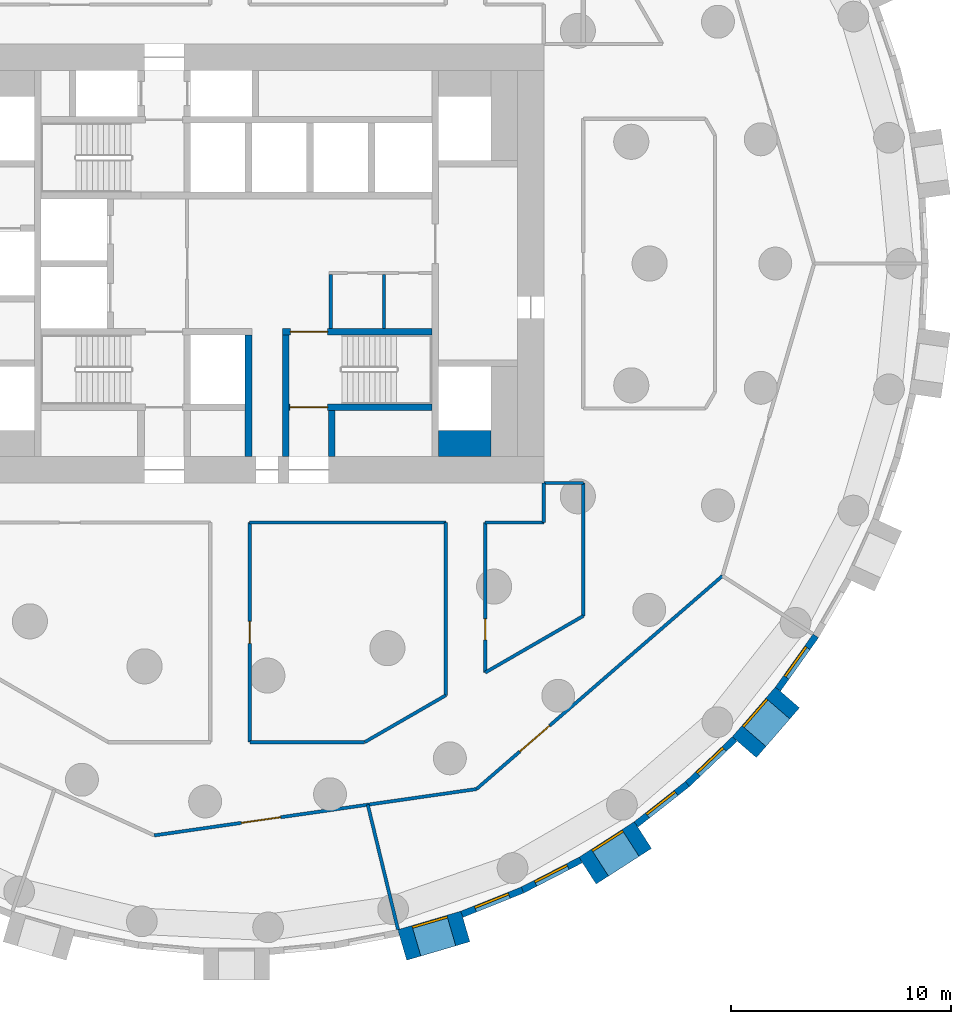
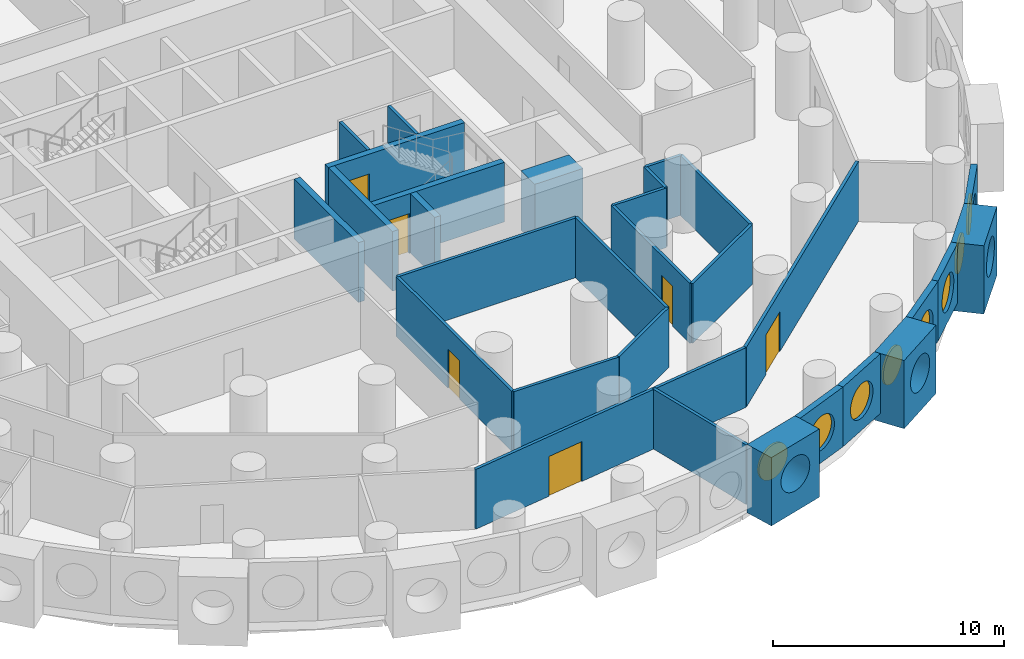
# One storey, part 5 of 12: 30 walls, 8 windows, 6 doors, 14 openings.
"""IFC4 building model written with IfcOpenShell, lengths in metres."""

import ifcopenshell
import ifcopenshell.guid

model = None  # the IFC model being written
_history = None  # IfcOwnerHistory: only IFC2X3 demands one
_inside = {}  # id of a spatial element -> (the spatial element, [elements in it])
_under = {}  # id of a project, library or spatial element -> (it, [spatial elements below it])
_declared = {}  # id of a project -> (the project, [libraries it declares])
_typed = {}  # id of a type object -> (the type object, [elements of that type])
_made_of = {}  # id of a material, layer set ... -> (it, [elements and type objects made of it])


def new_model(schema):
    """Start an empty IFC model of exactly this schema.

    Asked for "IFC4X3", IfcOpenShell would pick the latest addendum, in which some entities
    have other attributes; the version numbers below select the first issue.
    IFC2X3 requires an IfcOwnerHistory on every rooted entity: one is made here for all.
    """
    global model, _history
    if schema == "IFC4X3":
        model = ifcopenshell.file(schema_version=(4, 3, 0, 0))
    else:
        model = ifcopenshell.file(schema=schema)
    _inside.clear()
    _under.clear()
    _declared.clear()
    _typed.clear()
    _made_of.clear()
    _history = None
    if model.schema == "IFC2X3":
        org = make("IfcOrganization", Name="unknown")
        user = make(
            "IfcPersonAndOrganization",
            ThePerson=make("IfcPerson", FamilyName="unknown"),
            TheOrganization=org,
        )
        app = make(
            "IfcApplication",
            ApplicationDeveloper=org,
            Version="unknown",
            ApplicationFullName="unknown",
            ApplicationIdentifier="unknown",
        )
        _history = make(
            "IfcOwnerHistory",
            OwningUser=user,
            OwningApplication=app,
            ChangeAction="ADDED",
            CreationDate=0,
        )
    return model


def make(cls, **values):
    """One entity of the class cls with the attributes given. An attribute that is None is left unset."""
    return model.create_entity(
        cls, **{name: value for name, value in values.items() if value is not None}
    )


def rooted(cls, **values):
    """An entity with a GlobalId (a new one), such as an element, a storey or a relation."""
    return make(cls, GlobalId=ifcopenshell.guid.new(), OwnerHistory=_history, **values)


def si_unit(unit_type, name, prefix=None):
    """IfcSIUnit, for example si_unit("LENGTHUNIT", "METRE", prefix="MILLI")."""
    return make("IfcSIUnit", UnitType=unit_type, Prefix=prefix, Name=name)


def assignment(units):
    """IfcUnitAssignment: the units of a project."""
    return None if units is None else make("IfcUnitAssignment", Units=units)


def point(xyz):
    """IfcCartesianPoint."""
    return None if xyz is None else make("IfcCartesianPoint", Coordinates=xyz)


def direction(xyz):
    """IfcDirection."""
    return None if xyz is None else make("IfcDirection", DirectionRatios=xyz)


def frame(location, z_axis=None, x_axis=None):
    """IfcAxis2Placement3D, a coordinate frame: its origin and axes. An axis left out is left unset."""
    return make(
        "IfcAxis2Placement3D",
        Location=point(location),
        Axis=direction(z_axis),
        RefDirection=direction(x_axis),
    )


def frame_2d(location, x_axis=None):
    """IfcAxis2Placement2D, a coordinate frame in the plane: its origin and x axis."""
    return make(
        "IfcAxis2Placement2D", Location=point(location), RefDirection=direction(x_axis)
    )


def origin():
    """The frame at (0, 0, 0) with its axes left unset."""
    return frame((0.0, 0.0, 0.0))


def origin_2d():
    """The frame at (0, 0) in the plane with its x axis left unset."""
    return frame_2d((0.0, 0.0))


def place(relative_to, where):
    """IfcLocalPlacement: puts the frame where relative to a parent placement (None: the world)."""
    return make(
        "IfcLocalPlacement", PlacementRelTo=relative_to, RelativePlacement=where
    )


def context(
    kind, dimensions, precision=None, world=None, true_north=None, identifier=None
):
    """IfcGeometricRepresentationContext, for example the 3D "Model" context."""
    return make(
        "IfcGeometricRepresentationContext",
        ContextIdentifier=identifier,
        ContextType=kind,
        CoordinateSpaceDimension=dimensions,
        Precision=precision,
        WorldCoordinateSystem=world,
        TrueNorth=true_north,
    )


def subcontext(parent, identifier, kind, view, scale=None):
    """IfcGeometricRepresentationSubContext, for example "Body" below "Model"."""
    return make(
        "IfcGeometricRepresentationSubContext",
        ContextIdentifier=identifier,
        ContextType=kind,
        ParentContext=parent,
        TargetScale=scale,
        TargetView=view,
    )


def project(units=None, contexts=None):
    """IfcProject with its units and contexts."""
    return rooted(
        "IfcProject",
        Name="project",
        RepresentationContexts=contexts,
        UnitsInContext=assignment(units),
    )


def spatial(cls, under=None, at=None, **own):
    """A site, building, storey or space (cls), placed at a placement, below another one or the project."""
    s = rooted(cls, ObjectPlacement=at, **own)
    if under is not None:
        _under.setdefault(under.id(), (under, []))[1].append(s)
    return s


def profile(cls, at=None, kind="AREA", **sizes):
    """A parametric profile (cls). Its sizes go by their IFC names, for example OverallWidth=200.0."""
    return make(cls, ProfileType=kind, Position=at, **sizes)


def rectangle(**sizes):
    """IfcRectangleProfileDef."""
    return profile("IfcRectangleProfileDef", **sizes)


def circle(**sizes):
    """IfcCircleProfileDef."""
    return profile("IfcCircleProfileDef", **sizes)


def extrude(swept, where, along, depth):
    """IfcExtrudedAreaSolid: the profile swept, set in the frame where, extruded along a direction by depth."""
    return make(
        "IfcExtrudedAreaSolid",
        SweptArea=swept,
        Position=where,
        ExtrudedDirection=direction(along),
        Depth=depth,
    )


def shape(context_of_items, identifier, shape_type, items):
    """IfcShapeRepresentation: the items that make up one representation, for example the "Body"."""
    return make(
        "IfcShapeRepresentation",
        ContextOfItems=context_of_items,
        RepresentationIdentifier=identifier,
        RepresentationType=shape_type,
        Items=items,
    )


def material(Name=None, Category=None):
    """IfcMaterial."""
    return make("IfcMaterial", Name=Name, Category=Category)


def layer(
    of_material, thickness, ventilated=None, Name=None, Category=None, Priority=None
):
    """IfcMaterialLayer: one layer of a wall or slab, of a material (None: an air gap)."""
    return make(
        "IfcMaterialLayer",
        Material=of_material,
        LayerThickness=thickness,
        IsVentilated=ventilated,
        Name=Name,
        Category=Category,
        Priority=Priority,
    )


def layer_set(layers, Name=None):
    """IfcMaterialLayerSet."""
    return make("IfcMaterialLayerSet", MaterialLayers=layers, LayerSetName=Name)


def made_of(thing, what):
    """Note that an element or type object is made of a material, layer set ...; save() writes the relation."""
    if what is not None:
        _made_of.setdefault(what.id(), (what, []))[1].append(thing)
    return thing


def type_object(cls, material=None, **own):
    """A type object (cls), such as IfcWallType, which elements share."""
    return made_of(rooted(cls, **own), material)


def element(
    cls,
    number,
    at=None,
    inside=None,
    cuts=None,
    type_object=None,
    material=None,
    context=None,
    identifier="Body",
    shape_type=None,
    held_by="IfcProductDefinitionShape",
    body=None,
    shapes=None,
    **own,
):
    """One element of the class cls, such as IfcWall. Its Tag is "e" and its number.

    at: its placement. inside: the storey or other place that contains it. cuts: it is an
    opening in that element (IfcRelVoidsElement). A single representation is given by context,
    identifier, shape_type and body (its items); several are given by shapes. held_by: the class
    of the entity that holds the representations. save() writes the other relations.
    """
    e = rooted(cls, Tag="e%d" % number, ObjectPlacement=at, **own)
    if body is not None:
        shapes = [shape(context, identifier, shape_type, body)]
    if shapes is not None:
        e.Representation = make(held_by, Representations=shapes)
    if inside is not None:
        _inside.setdefault(inside.id(), (inside, []))[1].append(e)
    if cuts is not None:
        rooted(
            "IfcRelVoidsElement", RelatingBuildingElement=cuts, RelatedOpeningElement=e
        )
    if type_object is not None:
        _typed.setdefault(type_object.id(), (type_object, []))[1].append(e)
    return made_of(e, material)


def fill(opening, filler):
    """IfcRelFillsElement: the door or window that sits in an opening."""
    return rooted(
        "IfcRelFillsElement",
        RelatingOpeningElement=opening,
        RelatedBuildingElement=filler,
    )


def aggregate(whole, parts):
    """IfcRelAggregates: a whole, such as a stair, and the parts it consists of."""
    return rooted("IfcRelAggregates", RelatingObject=whole, RelatedObjects=parts)


def save(model, path):
    """Write the relations noted so far, then the file.

    IfcRelAggregates (storeys below a building ...), IfcRelContainedInSpatialStructure (elements
    in a storey), IfcRelDefinesByType, IfcRelAssociatesMaterial and IfcRelDeclares: one each for
    every whole, place, type object, material and project.
    """
    for whole, parts in _under.values():
        aggregate(whole, parts)
    for where, things in _inside.values():
        rooted(
            "IfcRelContainedInSpatialStructure",
            RelatedElements=things,
            RelatingStructure=where,
        )
    for kind, things in _typed.values():
        rooted("IfcRelDefinesByType", RelatedObjects=things, RelatingType=kind)
    for what, things in _made_of.values():
        rooted("IfcRelAssociatesMaterial", RelatedObjects=things, RelatingMaterial=what)
    for by, libraries in _declared.values():
        rooted("IfcRelDeclares", RelatingContext=by, RelatedDefinitions=libraries)
    model.write(path)


model = new_model("IFC4")

# Units and contexts
model_context = context("Model", 3, precision=1e-05, world=origin(), true_north=direction((0.0, 1.0)))
body_context = subcontext(model_context, "Body", "Model", "MODEL_VIEW")
ifc_project = project(units=[si_unit("LENGTHUNIT", "METRE"), si_unit("AREAUNIT", "SQUARE_METRE"), si_unit("VOLUMEUNIT", "CUBIC_METRE"), si_unit("PLANEANGLEUNIT", "RADIAN"), si_unit("MASSUNIT", "GRAM", prefix="KILO")], contexts=[model_context])

# Site, building, storey
site_placement = place(None, origin())
site = spatial("IfcSite", under=ifc_project, at=site_placement, CompositionType="ELEMENT")
building_placement = place(site_placement, origin())
building = spatial("IfcBuilding", under=site, at=building_placement, Name="Tracery Tower", CompositionType="ELEMENT")
storey_placement = place(building_placement, frame((0.0, 0.0, 53.39990234375)))
storey = spatial("IfcBuildingStorey", under=building, at=storey_placement, Name="L12", CompositionType="ELEMENT", Elevation=53.39990234375)

# Walls
ifc_material_1 = material(Name="Plasterboard on steel studs", Category="steel")
ifc_layer_1 = layer(ifc_material_1, 0.14990234375)
ifc_layer_set_1 = layer_set([ifc_layer_1], Name="Core room partition 150")
wall_type_1 = type_object("IfcWallType", Name="Core room partition 150", PredefinedType="SOLIDWALL", material=ifc_layer_set_1)
for number, where, z_axis, x_axis, name in (
    (1, (4.300048828125, -2.949951171875, 0.0), (0.0, 0.0, 1.0), (0.0, 1.0, 0.0), "L12 slot W"),
    (2, (6.72509765625, -2.949951171875, 0.0), (0.0, 0.0, 1.0), (0.0, 1.0, 0.0), "L12 slot sep 1"),
):
    element("IfcWall", number, at=place(storey_placement, frame(where, z_axis=z_axis, x_axis=x_axis)), inside=storey, type_object=wall_type_1, Name=name, PredefinedType="SOLIDWALL", context=body_context, shape_type="SweptSolid", body=[
        extrude(rectangle(XDim=2.449951171875, YDim=0.14990234375, at=frame_2d((1.22509765625, 0.0))), origin(), (0.0, 0.0, 1.0), 3.150146484375),
    ])
ifc_material_2 = material(Name="Concrete C60/75", Category="concrete")
ifc_layer_2 = layer(ifc_material_2, 1.199951171875)
ifc_layer_set_2 = layer_set([ifc_layer_2], Name="Core strip wall 1200 C60")
wall_type_2 = type_object("IfcWallType", Name="Core strip wall 1200 C60", PredefinedType="SOLIDWALL", material=ifc_layer_set_2)
wall_1_placement = place(storey_placement, frame((9.199951171875, -8.199951171875, 0.0), z_axis=(0.0, 0.0, 1.0), x_axis=(1.0, 0.0, 0.0)))
element("IfcWall", 3, at=wall_1_placement, inside=storey, type_object=wall_type_2, Name="L12 wing corner +1 -8.2", PredefinedType="SOLIDWALL", context=body_context, shape_type="SweptSolid", body=[
    extrude(rectangle(XDim=2.400146484375, YDim=1.199951171875, at=frame_2d((1.2001953125, 0.0))), origin(), (0.0, 0.0, 1.0), 3.150146484375),
])

# Wall, opening, window
ifc_material_3 = material(Name="Precast concrete C50/60", Category="concrete")
ifc_layer_3 = layer(ifc_material_3, 1.449951171875)
ifc_layer_set_3 = layer_set([ifc_layer_3], Name="Deep-set bay unit 3000 x 3600, slab edge 450")
wall_type_3 = type_object("IfcWallType", Name="Deep-set bay unit 3000 x 3600, slab edge 450", PredefinedType="ELEMENTEDWALL", material=ifc_layer_set_3)
wall_2_placement = place(storey_placement, frame((7.552001953125, -31.043701171875, -0.449951171875), z_axis=(0.0, 0.0, 1.0), x_axis=(0.959489813418, 0.281743319258, 0.0)))
wall_2 = element("IfcWall", 4, at=wall_2_placement, inside=storey, type_object=wall_type_3, Name="Deep-set bay unit 53 at L12", PredefinedType="ELEMENTEDWALL", context=body_context, shape_type="SweptSolid", body=[
    extrude(rectangle(XDim=3.0, YDim=1.449951171875, at=frame_2d((1.5, 0.0))), origin(), (0.0, 0.0, 1.0), 3.60009765625),
])
opening_1_placement = place(wall_2_placement, frame((1.5, 0.0, 2.0)))
opening_1 = element("IfcOpeningElement", 5, at=opening_1_placement, cuts=wall_2, Name="Opening WN1", PredefinedType="OPENING", context=body_context, shape_type="SweptSolid", body=[
    extrude(circle(Radius=0.9000244140625, at=origin_2d()), frame((0.0, 0.73486328125, 0.0), z_axis=(0.0, -1.0, 0.0), x_axis=(1.0, 0.0, 0.0)), (0.0, 0.0, 1.0), 1.469970703125),
])
ifc_material_4 = material(Name="Aluminium frame with tinted double glazing", Category="aluminium")
window_type = type_object("IfcWindowType", Name="Round window 1800", PartitioningType="SINGLE_PANEL", PredefinedType="WINDOW", material=ifc_material_4)
window_1_placement = place(opening_1_placement, origin())
window_1 = element("IfcWindow", 6, at=window_1_placement, inside=storey, type_object=window_type, Name="Round window 53 at L12", OverallHeight=1.800048828125, OverallWidth=1.800048828125, PartitioningType="SINGLE_PANEL", PredefinedType="WINDOW", context=body_context, shape_type="SweptSolid", body=[
    extrude(circle(Radius=0.9000244140625, at=origin_2d()), frame((0.0, 0.69482421875, 0.0), z_axis=(0.0, -1.0, 0.0), x_axis=(1.0, 0.0, 0.0)), (0.0, 0.0, 1.0), 0.10009765625),
])
fill(opening_1, window_1)

wall_3_placement = place(storey_placement, frame((15.9921875, -27.65869140625, -0.449951171875), z_axis=(0.0, 0.0, 1.0), x_axis=(0.841223422347, 0.540687667415, 0.0)))
wall_3 = element("IfcWall", 7, at=wall_3_placement, inside=storey, type_object=wall_type_3, Name="Deep-set bay unit 56 at L12", PredefinedType="ELEMENTEDWALL", context=body_context, shape_type="SweptSolid", body=[
    extrude(rectangle(XDim=3.0, YDim=1.449951171875, at=frame_2d((1.5, 0.0))), origin(), (0.0, 0.0, 1.0), 3.60009765625),
])
opening_2_placement = place(wall_3_placement, frame((1.5, 0.0, 2.0)))
opening_2 = element("IfcOpeningElement", 8, at=opening_2_placement, cuts=wall_3, Name="Opening WN1", PredefinedType="OPENING", context=body_context, shape_type="SweptSolid", body=[
    extrude(circle(Radius=0.9000244140625, at=origin_2d()), frame((0.0, 0.73486328125, 0.0), z_axis=(0.0, -1.0, 0.0), x_axis=(1.0, 0.0, 0.0)), (0.0, 0.0, 1.0), 1.469970703125),
])
window_2_placement = place(opening_2_placement, origin())
window_2 = element("IfcWindow", 9, at=window_2_placement, inside=storey, type_object=window_type, Name="Round window 56 at L12", OverallHeight=1.800048828125, OverallWidth=1.800048828125, PartitioningType="SINGLE_PANEL", PredefinedType="WINDOW", context=body_context, shape_type="SweptSolid", body=[
    extrude(circle(Radius=0.9000244140625, at=origin_2d()), frame((0.0, 0.69482421875, 0.0), z_axis=(0.0, -1.0, 0.0), x_axis=(1.0, 0.0, 0.0)), (0.0, 0.0, 1.0), 0.10009765625),
])
fill(opening_2, window_2)

wall_4_placement = place(storey_placement, frame((23.13671875, -22.03271484375, -0.449951171875), z_axis=(0.0, 0.0, 1.0), x_axis=(0.654890259022, 0.75572398972, 0.0)))
wall_4 = element("IfcWall", 10, at=wall_4_placement, inside=storey, type_object=wall_type_3, Name="Deep-set bay unit 59 at L12", PredefinedType="ELEMENTEDWALL", context=body_context, shape_type="SweptSolid", body=[
    extrude(rectangle(XDim=3.0, YDim=1.449951171875, at=frame_2d((1.5, 0.0))), origin(), (0.0, 0.0, 1.0), 3.60009765625),
])
opening_3_placement = place(wall_4_placement, frame((1.5, 0.0, 2.0)))
opening_3 = element("IfcOpeningElement", 11, at=opening_3_placement, cuts=wall_4, Name="Opening WN1", PredefinedType="OPENING", context=body_context, shape_type="SweptSolid", body=[
    extrude(circle(Radius=0.9000244140625, at=origin_2d()), frame((0.0, 0.73486328125, 0.0), z_axis=(0.0, -1.0, 0.0), x_axis=(1.0, 0.0, 0.0)), (0.0, 0.0, 1.0), 1.469970703125),
])
window_3_placement = place(opening_3_placement, origin())
window_3 = element("IfcWindow", 12, at=window_3_placement, inside=storey, type_object=window_type, Name="Round window 59 at L12", OverallHeight=1.800048828125, OverallWidth=1.800048828125, PartitioningType="SINGLE_PANEL", PredefinedType="WINDOW", context=body_context, shape_type="SweptSolid", body=[
    extrude(circle(Radius=0.9000244140625, at=origin_2d()), frame((0.0, 0.69482421875, 0.0), z_axis=(0.0, -1.0, 0.0), x_axis=(1.0, 0.0, 0.0)), (0.0, 0.0, 1.0), 0.10009765625),
])
fill(opening_3, window_3)

ifc_material_5 = material(Name="Precast concrete C50/60", Category="concrete")
ifc_layer_4 = layer(ifc_material_5, 0.300048828125)
ifc_layer_set_4 = layer_set([ifc_layer_4], Name="Facade panel 3000 x 3150")
wall_type_4 = type_object("IfcWallType", Name="Facade panel 3000 x 3150", PredefinedType="SOLIDWALL", material=ifc_layer_set_4)
wall_5_placement = place(storey_placement, frame((10.26708984375, -29.646484375, 0.0), z_axis=(0.0, 0.0, 1.0), x_axis=(0.928403213937, 0.371574316054, 0.0)))
wall_5 = element("IfcWall", 13, at=wall_5_placement, inside=storey, type_object=wall_type_4, Name="Facade panel 54 at L12", PredefinedType="SOLIDWALL", context=body_context, shape_type="SweptSolid", body=[
    extrude(rectangle(XDim=2.979736328125, YDim=0.300048828125, at=frame_2d((1.48974609375, 0.0))), origin(), (0.0, 0.0, 1.0), 3.150146484375),
])
opening_4_placement = place(wall_5_placement, frame((1.48974609375, 0.0, 1.5498046875)))
opening_4 = element("IfcOpeningElement", 14, at=opening_4_placement, cuts=wall_5, Name="Opening WN1", PredefinedType="OPENING", context=body_context, shape_type="SweptSolid", body=[
    extrude(circle(Radius=0.9000244140625, at=origin_2d()), frame((0.0, 0.159912109375, 0.0), z_axis=(0.0, -1.0, 0.0), x_axis=(1.0, 0.0, 0.0)), (0.0, 0.0, 1.0), 0.320068359375),
])
window_4_placement = place(opening_4_placement, origin())
window_4 = element("IfcWindow", 15, at=window_4_placement, inside=storey, type_object=window_type, Name="Round window 54 at L12", OverallHeight=1.800048828125, OverallWidth=1.800048828125, PartitioningType="SINGLE_PANEL", PredefinedType="WINDOW", context=body_context, shape_type="SweptSolid", body=[
    extrude(circle(Radius=0.9000244140625, at=origin_2d()), frame((0.0, 0.1201171875, 0.0), z_axis=(0.0, -1.0, 0.0), x_axis=(1.0, 0.0, 0.0)), (0.0, 0.0, 1.0), 0.10009765625),
])
fill(opening_4, window_4)

wall_6_placement = place(storey_placement, frame((13.033447265625, -28.539306640625, 0.0), z_axis=(0.0, 0.0, 1.0), x_axis=(0.888819853856, 0.458256770153, 0.0)))
wall_6 = element("IfcWall", 16, at=wall_6_placement, inside=storey, type_object=wall_type_4, Name="Facade panel 55 at L12", PredefinedType="SOLIDWALL", context=body_context, shape_type="SweptSolid", body=[
    extrude(rectangle(XDim=2.979736328125, YDim=0.300048828125, at=frame_2d((1.48974609375, 0.0))), origin(), (0.0, 0.0, 1.0), 3.150146484375),
])
opening_5_placement = place(wall_6_placement, frame((1.48974609375, 0.0, 1.5498046875)))
opening_5 = element("IfcOpeningElement", 17, at=opening_5_placement, cuts=wall_6, Name="Opening WN1", PredefinedType="OPENING", context=body_context, shape_type="SweptSolid", body=[
    extrude(circle(Radius=0.9000244140625, at=origin_2d()), frame((0.0, 0.159912109375, 0.0), z_axis=(0.0, -1.0, 0.0), x_axis=(1.0, 0.0, 0.0)), (0.0, 0.0, 1.0), 0.320068359375),
])
window_5_placement = place(opening_5_placement, origin())
window_5 = element("IfcWindow", 18, at=window_5_placement, inside=storey, type_object=window_type, Name="Round window 55 at L12", OverallHeight=1.800048828125, OverallWidth=1.800048828125, PartitioningType="SINGLE_PANEL", PredefinedType="WINDOW", context=body_context, shape_type="SweptSolid", body=[
    extrude(circle(Radius=0.9000244140625, at=origin_2d()), frame((0.0, 0.1201171875, 0.0), z_axis=(0.0, -1.0, 0.0), x_axis=(1.0, 0.0, 0.0)), (0.0, 0.0, 1.0), 0.10009765625),
])
fill(opening_5, window_5)

wall_7_placement = place(storey_placement, frame((18.20361328125, -25.55322265625, 0.0), z_axis=(0.0, 0.0, 1.0), x_axis=(0.786045331304, 0.618168858108, 0.0)))
wall_7 = element("IfcWall", 19, at=wall_7_placement, inside=storey, type_object=wall_type_4, Name="Facade panel 57 at L12", PredefinedType="SOLIDWALL", context=body_context, shape_type="SweptSolid", body=[
    extrude(rectangle(XDim=2.979736328125, YDim=0.300048828125, at=frame_2d((1.48974609375, 0.0))), origin(), (0.0, 0.0, 1.0), 3.150146484375),
])
opening_6_placement = place(wall_7_placement, frame((1.48974609375, 0.0, 1.5498046875)))
opening_6 = element("IfcOpeningElement", 20, at=opening_6_placement, cuts=wall_7, Name="Opening WN1", PredefinedType="OPENING", context=body_context, shape_type="SweptSolid", body=[
    extrude(circle(Radius=0.9000244140625, at=origin_2d()), frame((0.0, 0.159912109375, 0.0), z_axis=(0.0, -1.0, 0.0), x_axis=(1.0, 0.0, 0.0)), (0.0, 0.0, 1.0), 0.320068359375),
])
window_6_placement = place(opening_6_placement, origin())
window_6 = element("IfcWindow", 21, at=window_6_placement, inside=storey, type_object=window_type, Name="Round window 57 at L12", OverallHeight=1.800048828125, OverallWidth=1.800048828125, PartitioningType="SINGLE_PANEL", PredefinedType="WINDOW", context=body_context, shape_type="SweptSolid", body=[
    extrude(circle(Radius=0.9000244140625, at=origin_2d()), frame((0.0, 0.1201171875, 0.0), z_axis=(0.0, -1.0, 0.0), x_axis=(1.0, 0.0, 0.0)), (0.0, 0.0, 1.0), 0.10009765625),
])
fill(opening_6, window_6)

wall_8_placement = place(storey_placement, frame((20.5458984375, -23.711181640625, 0.0), z_axis=(0.0, 0.0, 1.0), x_axis=(0.723744206617, 0.690068346896, 0.0)))
wall_8 = element("IfcWall", 22, at=wall_8_placement, inside=storey, type_object=wall_type_4, Name="Facade panel 58 at L12", PredefinedType="SOLIDWALL", context=body_context, shape_type="SweptSolid", body=[
    extrude(rectangle(XDim=2.979736328125, YDim=0.300048828125, at=frame_2d((1.48974609375, 0.0))), origin(), (0.0, 0.0, 1.0), 3.150146484375),
])
opening_7_placement = place(wall_8_placement, frame((1.48974609375, 0.0, 1.5498046875)))
opening_7 = element("IfcOpeningElement", 23, at=opening_7_placement, cuts=wall_8, Name="Opening WN1", PredefinedType="OPENING", context=body_context, shape_type="SweptSolid", body=[
    extrude(circle(Radius=0.9000244140625, at=origin_2d()), frame((0.0, 0.159912109375, 0.0), z_axis=(0.0, -1.0, 0.0), x_axis=(1.0, 0.0, 0.0)), (0.0, 0.0, 1.0), 0.320068359375),
])
window_7_placement = place(opening_7_placement, origin())
window_7 = element("IfcWindow", 24, at=window_7_placement, inside=storey, type_object=window_type, Name="Round window 58 at L12", OverallHeight=1.800048828125, OverallWidth=1.800048828125, PartitioningType="SINGLE_PANEL", PredefinedType="WINDOW", context=body_context, shape_type="SweptSolid", body=[
    extrude(circle(Radius=0.9000244140625, at=origin_2d()), frame((0.0, 0.1201171875, 0.0), z_axis=(0.0, -1.0, 0.0), x_axis=(1.0, 0.0, 0.0)), (0.0, 0.0, 1.0), 0.10009765625),
])
fill(opening_7, window_7)

wall_9_placement = place(storey_placement, frame((24.66552734375, -19.389404296875, 0.0), z_axis=(0.0, 0.0, 1.0), x_axis=(0.580059407678, 0.81457417315, 0.0)))
wall_9 = element("IfcWall", 25, at=wall_9_placement, inside=storey, type_object=wall_type_4, Name="Facade panel 60 at L12", PredefinedType="SOLIDWALL", context=body_context, shape_type="SweptSolid", body=[
    extrude(rectangle(XDim=2.9794921875, YDim=0.300048828125, at=frame_2d((1.48974609375, 0.0))), origin(), (0.0, 0.0, 1.0), 3.150146484375),
])
opening_8_placement = place(wall_9_placement, frame((1.48974609375, 0.0, 1.5498046875)))
opening_8 = element("IfcOpeningElement", 26, at=opening_8_placement, cuts=wall_9, Name="Opening WN1", PredefinedType="OPENING", context=body_context, shape_type="SweptSolid", body=[
    extrude(circle(Radius=0.9000244140625, at=origin_2d()), frame((0.0, 0.159912109375, 0.0), z_axis=(0.0, -1.0, 0.0), x_axis=(1.0, 0.0, 0.0)), (0.0, 0.0, 1.0), 0.320068359375),
])
window_8_placement = place(opening_8_placement, origin())
window_8 = element("IfcWindow", 27, at=window_8_placement, inside=storey, type_object=window_type, Name="Round window 60 at L12", OverallHeight=1.800048828125, OverallWidth=1.800048828125, PartitioningType="SINGLE_PANEL", PredefinedType="WINDOW", context=body_context, shape_type="SweptSolid", body=[
    extrude(circle(Radius=0.9000244140625, at=origin_2d()), frame((0.0, 0.1201171875, 0.0), z_axis=(0.0, -1.0, 0.0), x_axis=(1.0, 0.0, 0.0)), (0.0, 0.0, 1.0), 0.10009765625),
])
fill(opening_8, window_8)

# Walls
ifc_material_6 = material(Name="Plasterboard on steel studs", Category="steel")
ifc_layer_5 = layer(ifc_material_6, 0.14990234375)
ifc_layer_set_5 = layer_set([ifc_layer_5], Name="Partition 150 acoustic unit wall")
wall_type_5 = type_object("IfcWallType", Name="Partition 150 acoustic unit wall", PredefinedType="PARTITIONING", material=ifc_layer_set_5)
wall_10_placement = place(storey_placement, frame((5.98095703125, -24.652099609375, 0.0), z_axis=(0.0, 0.0, 1.0), x_axis=(0.235644168604, -0.971839403298, 0.0)))
element("IfcWall", 28, at=wall_10_placement, inside=storey, type_object=wall_type_5, Name="Unit wall RA3-101", PredefinedType="PARTITIONING", context=body_context, shape_type="SweptSolid", body=[
    extrude(rectangle(XDim=5.85693359375, YDim=0.14990234375, at=frame_2d((2.928466796875, 0.0))), origin(), (0.0, 0.0, 1.0), 3.150146484375),
])
ifc_material_7 = material(Name="Plasterboard on steel studs", Category="steel")
ifc_layer_6 = layer(ifc_material_7, 0.14990234375)
ifc_layer_set_6 = layer_set([ifc_layer_6], Name="Partition 150 corridor wall")
wall_type_6 = type_object("IfcWallType", Name="Partition 150 corridor wall", PredefinedType="PARTITIONING", material=ifc_layer_set_6)
wall_11_placement = place(storey_placement, frame((0.60400390625, -11.800048828125, 0.0), z_axis=(0.0, 0.0, 1.0), x_axis=(1.0, 0.0, 0.0)))
element("IfcWall", 29, at=wall_11_placement, inside=storey, type_object=wall_type_6, Name="Corridor wall RA3-006", PredefinedType="PARTITIONING", context=body_context, shape_type="SweptSolid", body=[
    extrude(rectangle(XDim=8.93603515625, YDim=0.14990234375, at=frame_2d((4.468017578125, 0.0))), origin(), (0.0, 0.0, 1.0), 3.150146484375),
])
wall_12_placement = place(storey_placement, frame((14.0, -11.800048828125, 0.0), z_axis=(0.0, 0.0, 1.0), x_axis=(0.0, 1.0, 0.0)))
element("IfcWall", 30, at=wall_12_placement, inside=storey, type_object=wall_type_6, Name="Corridor wall RA3-007", PredefinedType="PARTITIONING", context=body_context, shape_type="SweptSolid", body=[
    extrude(rectangle(XDim=1.800048828125, YDim=0.14990234375, at=frame_2d((0.89990234375, 0.0))), origin(), (0.0, 0.0, 1.0), 3.150146484375),
])
wall_13_placement = place(storey_placement, frame((11.33203125, -11.800048828125, 0.0), z_axis=(0.0, 0.0, 1.0), x_axis=(1.0, 0.0, 0.0)))
element("IfcWall", 31, at=wall_13_placement, inside=storey, type_object=wall_type_6, Name="Corridor wall RA3-008", PredefinedType="PARTITIONING", context=body_context, shape_type="SweptSolid", body=[
    extrude(rectangle(XDim=2.66796875, YDim=0.14990234375, at=frame_2d((1.333984375, 0.0))), origin(), (0.0, 0.0, 1.0), 3.150146484375),
])
wall_14_placement = place(storey_placement, frame((14.0, -10.0, 0.0), z_axis=(0.0, 0.0, 1.0), x_axis=(1.0, 0.0, 0.0)))
element("IfcWall", 32, at=wall_14_placement, inside=storey, type_object=wall_type_6, Name="Corridor wall RA3-011", PredefinedType="PARTITIONING", context=body_context, shape_type="SweptSolid", body=[
    extrude(rectangle(XDim=1.800048828125, YDim=0.14990234375, at=frame_2d((0.89990234375, 0.0))), origin(), (0.0, 0.0, 1.0), 3.150146484375),
])
wall_15_placement = place(storey_placement, frame((15.800048828125, -16.052978515625, 0.0), z_axis=(0.0, 0.0, 1.0), x_axis=(0.0, 1.0, 0.0)))
element("IfcWall", 33, at=wall_15_placement, inside=storey, type_object=wall_type_6, Name="Corridor wall RA3-014", PredefinedType="PARTITIONING", context=body_context, shape_type="SweptSolid", body=[
    extrude(rectangle(XDim=6.056884765625, YDim=0.14990234375, at=frame_2d((3.0283203125, 0.0))), origin(), (0.0, 0.0, 1.0), 3.150146484375),
])

# Wall, opening, door
wall_16_placement = place(storey_placement, frame((10.93310546875, -23.940185546875, 0.0), z_axis=(0.0, 0.0, 1.0), x_axis=(0.755770011705, 0.654837147242, 0.0)))
wall_16 = element("IfcWall", 34, at=wall_16_placement, inside=storey, type_object=wall_type_6, Name="Corridor wall RA3-023", PredefinedType="PARTITIONING", context=body_context, shape_type="SweptSolid", body=[
    extrude(rectangle(XDim=14.829833984375, YDim=0.14990234375, at=frame_2d((7.4150390625, 0.0))), origin(), (0.0, 0.0, 1.0), 3.150146484375),
])
opening_9_placement = place(wall_16_placement, frame((2.61083984375, 0.0, 0.0)))
opening_9 = element("IfcOpeningElement", 35, at=opening_9_placement, cuts=wall_16, Name="Opening RA3-40", PredefinedType="OPENING", context=body_context, shape_type="SweptSolid", body=[
    extrude(rectangle(XDim=1.800048828125, YDim=2.10009765625, at=frame_2d((0.89990234375, 1.050048828125))), frame((0.0, 0.074951171875, 0.0), z_axis=(0.0, -1.0, 0.0), x_axis=(1.0, 0.0, 0.0)), (0.0, 0.0, 1.0), 0.14990234375),
])
ifc_material_8 = material(Name="Timber door leaf", Category="wood")
door_type_1 = type_object("IfcDoorType", Name="Door double lounge 1800", OperationType="NOTDEFINED", PredefinedType="DOOR", material=ifc_material_8)
door_1_placement = place(opening_9_placement, origin())
door_1 = element("IfcDoor", 36, at=door_1_placement, inside=storey, type_object=door_type_1, Name="Double lounge door RA3-40", OperationType="DOUBLE_DOOR_SINGLE_SWING", OverallHeight=2.10009765625, OverallWidth=1.800048828125, PredefinedType="DOOR", context=body_context, shape_type="SweptSolid", body=[
    extrude(rectangle(XDim=1.800048828125, YDim=2.10009765625, at=frame_2d((0.89990234375, 1.050048828125))), frame((0.0, 0.02490234375, 0.0), z_axis=(0.0, -1.0, 0.0), x_axis=(1.0, 0.0, 0.0)), (0.0, 0.0, 1.0), 0.050048828125),
])
fill(opening_9, door_1)

wall_17_placement = place(storey_placement, frame((0.60791015625, -21.802001953125, 0.0), z_axis=(0.0, 0.0, 1.0), x_axis=(0.0, 1.0, 0.0)))
wall_17 = element("IfcWall", 37, at=wall_17_placement, inside=storey, type_object=wall_type_6, Name="Corridor wall RA3-050", PredefinedType="PARTITIONING", context=body_context, shape_type="SweptSolid", body=[
    extrude(rectangle(XDim=10.001953125, YDim=0.14990234375, at=frame_2d((5.0009765625, 0.0))), origin(), (0.0, 0.0, 1.0), 3.150146484375),
])
opening_10_placement = place(wall_17_placement, frame((4.5009765625, 0.0, 0.0)))
opening_10 = element("IfcOpeningElement", 38, at=opening_10_placement, cuts=wall_17, Name="Opening RA3-05", PredefinedType="OPENING", context=body_context, shape_type="SweptSolid", body=[
    extrude(rectangle(XDim=1.0, YDim=2.0400390625, at=frame_2d((0.5, 1.02001953125))), frame((0.0, 0.074951171875, 0.0), z_axis=(0.0, -1.0, 0.0), x_axis=(1.0, 0.0, 0.0)), (0.0, 0.0, 1.0), 0.14990234375),
])
ifc_material_9 = material(Name="Timber door leaf", Category="wood")
door_type_2 = type_object("IfcDoorType", Name="Door communal room 1000", OperationType="NOTDEFINED", PredefinedType="DOOR", material=ifc_material_9)
door_2_placement = place(opening_10_placement, origin())
door_2 = element("IfcDoor", 39, at=door_2_placement, inside=storey, type_object=door_type_2, Name="Communal room door RA3-05", OperationType="SINGLE_SWING_RIGHT", OverallHeight=2.0400390625, OverallWidth=1.0, PredefinedType="DOOR", context=body_context, shape_type="SweptSolid", body=[
    extrude(rectangle(XDim=1.0, YDim=2.0400390625, at=frame_2d((0.5, 1.02001953125))), frame((0.0, 0.02490234375, 0.0), z_axis=(0.0, -1.0, 0.0), x_axis=(1.0, 0.0, 0.0)), (0.0, 0.0, 1.0), 0.050048828125),
])
fill(opening_10, door_2)

# Walls
wall_18_placement = place(storey_placement, frame((0.60791015625, -21.802001953125, 0.0), z_axis=(0.0, 0.0, 1.0), x_axis=(1.0, 0.0, 0.0)))
element("IfcWall", 40, at=wall_18_placement, inside=storey, type_object=wall_type_6, Name="Corridor wall RA3-051", PredefinedType="PARTITIONING", context=body_context, shape_type="SweptSolid", body=[
    extrude(rectangle(XDim=5.234130859375, YDim=0.14990234375, at=frame_2d((2.6171875, 0.0))), origin(), (0.0, 0.0, 1.0), 3.150146484375),
])
wall_19_placement = place(storey_placement, frame((5.842041015625, -21.802001953125, 0.0), z_axis=(0.0, 0.0, 1.0), x_axis=(0.865983505205, 0.500072563448, 0.0)))
element("IfcWall", 41, at=wall_19_placement, inside=storey, type_object=wall_type_6, Name="Corridor wall RA3-052", PredefinedType="PARTITIONING", context=body_context, shape_type="SweptSolid", body=[
    extrude(rectangle(XDim=4.265380859375, YDim=0.14990234375, at=frame_2d((2.1328125, 0.0))), origin(), (0.0, 0.0, 1.0), 3.150146484375),
])
wall_20_placement = place(storey_placement, frame((9.535888671875, -19.6689453125, 0.0), z_axis=(0.0, 0.0, 1.0), x_axis=(0.0, 1.0, 0.0)))
element("IfcWall", 42, at=wall_20_placement, inside=storey, type_object=wall_type_6, Name="Corridor wall RA3-053", PredefinedType="PARTITIONING", context=body_context, shape_type="SweptSolid", body=[
    extrude(rectangle(XDim=7.868896484375, YDim=0.14990234375, at=frame_2d((3.9345703125, 0.0))), origin(), (0.0, 0.0, 1.0), 3.150146484375),
])

# Wall, opening, door
wall_21_placement = place(storey_placement, frame((11.3359375, -18.6298828125, 0.0), z_axis=(0.0, 0.0, 1.0), x_axis=(0.0, 1.0, 0.0)))
wall_21 = element("IfcWall", 43, at=wall_21_placement, inside=storey, type_object=wall_type_6, Name="Corridor wall RA3-054", PredefinedType="PARTITIONING", context=body_context, shape_type="SweptSolid", body=[
    extrude(rectangle(XDim=6.829833984375, YDim=0.14990234375, at=frame_2d((3.4150390625, 0.0))), origin(), (0.0, 0.0, 1.0), 3.150146484375),
])
opening_11_placement = place(wall_21_placement, frame((1.489990234375, 0.0, 0.0)))
opening_11 = element("IfcOpeningElement", 44, at=opening_11_placement, cuts=wall_21, Name="Opening RA3-06", PredefinedType="OPENING", context=body_context, shape_type="SweptSolid", body=[
    extrude(rectangle(XDim=0.949951171875, YDim=2.10009765625, at=frame_2d((0.47509765625, 1.050048828125))), frame((0.0, 0.074951171875, 0.0), z_axis=(0.0, -1.0, 0.0), x_axis=(1.0, 0.0, 0.0)), (0.0, 0.0, 1.0), 0.14990234375),
])
ifc_material_10 = material(Name="Timber door leaf", Category="wood")
door_type_3 = type_object("IfcDoorType", Name="Door store 950", OperationType="NOTDEFINED", PredefinedType="DOOR", material=ifc_material_10)
door_3_placement = place(opening_11_placement, origin())
door_3 = element("IfcDoor", 45, at=door_3_placement, inside=storey, type_object=door_type_3, Name="Store door RA3-06", OperationType="SINGLE_SWING_RIGHT", OverallHeight=2.10009765625, OverallWidth=0.949951171875, PredefinedType="DOOR", context=body_context, shape_type="SweptSolid", body=[
    extrude(rectangle(XDim=0.949951171875, YDim=2.10009765625, at=frame_2d((0.47509765625, 1.050048828125))), frame((0.0, 0.02490234375, 0.0), z_axis=(0.0, -1.0, 0.0), x_axis=(1.0, 0.0, 0.0)), (0.0, 0.0, 1.0), 0.050048828125),
])
fill(opening_11, door_3)

# Wall
wall_22_placement = place(storey_placement, frame((11.3359375, -18.6298828125, 0.0), z_axis=(0.0, 0.0, 1.0), x_axis=(0.866063337164, 0.499934291702, 0.0)))
element("IfcWall", 46, at=wall_22_placement, inside=storey, type_object=wall_type_6, Name="Corridor wall RA3-055", PredefinedType="PARTITIONING", context=body_context, shape_type="SweptSolid", body=[
    extrude(rectangle(XDim=5.154541015625, YDim=0.14990234375, at=frame_2d((2.5771484375, 0.0))), origin(), (0.0, 0.0, 1.0), 3.150146484375),
])

# Wall, opening, door
wall_23_placement = place(storey_placement, frame((-3.74609375, -26.051025390625, 0.0), z_axis=(0.0, 0.0, 1.0), x_axis=(0.989823328782, 0.142301713967, 0.0)))
wall_23 = element("IfcWall", 47, at=wall_23_placement, inside=storey, type_object=wall_type_6, Name="Corridor wall RA3-057", PredefinedType="PARTITIONING", context=body_context, shape_type="SweptSolid", body=[
    extrude(rectangle(XDim=14.830078125, YDim=0.14990234375, at=frame_2d((7.4150390625, 0.0))), origin(), (0.0, 0.0, 1.0), 3.150146484375),
])
opening_12_placement = place(wall_23_placement, frame((4.01513671875, 0.0, 0.0)))
opening_12 = element("IfcOpeningElement", 48, at=opening_12_placement, cuts=wall_23, Name="Opening RA3-39", PredefinedType="OPENING", context=body_context, shape_type="SweptSolid", body=[
    extrude(rectangle(XDim=1.800048828125, YDim=2.10009765625, at=frame_2d((0.89990234375, 1.050048828125))), frame((0.0, 0.074951171875, 0.0), z_axis=(0.0, -1.0, 0.0), x_axis=(1.0, 0.0, 0.0)), (0.0, 0.0, 1.0), 0.14990234375),
])
door_4_placement = place(opening_12_placement, origin())
door_4 = element("IfcDoor", 49, at=door_4_placement, inside=storey, type_object=door_type_1, Name="Double lounge door RA3-39", OperationType="DOUBLE_DOOR_SINGLE_SWING", OverallHeight=2.10009765625, OverallWidth=1.800048828125, PredefinedType="DOOR", context=body_context, shape_type="SweptSolid", body=[
    extrude(rectangle(XDim=1.800048828125, YDim=2.10009765625, at=frame_2d((0.89990234375, 1.050048828125))), frame((0.0, 0.02490234375, 0.0), z_axis=(0.0, -1.0, 0.0), x_axis=(1.0, 0.0, 0.0)), (0.0, 0.0, 1.0), 0.050048828125),
])
fill(opening_12, door_4)

# Walls
ifc_material_11 = material(Name="Concrete C60/75", Category="concrete")
ifc_layer_7 = layer(ifc_material_11, 0.300048828125)
ifc_layer_set_7 = layer_set([ifc_layer_7], Name="Shaft wall 300 C60")
wall_type_7 = type_object("IfcWallType", Name="Shaft wall 300 C60", PredefinedType="SOLIDWALL", material=ifc_layer_set_7)
wall_24_placement = place(storey_placement, frame((0.550048828125, -8.800048828125, 0.0), z_axis=(0.0, 0.0, 1.0), x_axis=(0.0, 1.0, 0.0)))
element("IfcWall", 50, at=wall_24_placement, inside=storey, type_object=wall_type_7, Name="L12 OB2 E", PredefinedType="SOLIDWALL", context=body_context, shape_type="SweptSolid", body=[
    extrude(rectangle(XDim=5.550048828125, YDim=0.300048828125, at=frame_2d((2.77490234375, 0.0))), origin(), (0.0, 0.0, 1.0), 3.150146484375),
])
wall_25_placement = place(storey_placement, frame((4.35009765625, -8.800048828125, 0.0), z_axis=(0.0, 0.0, 1.0), x_axis=(0.0, 1.0, 0.0)))
element("IfcWall", 51, at=wall_25_placement, inside=storey, type_object=wall_type_7, Name="L12 band S +4.35", PredefinedType="SOLIDWALL", context=body_context, shape_type="SweptSolid", body=[
    extrude(rectangle(XDim=2.10009765625, YDim=0.300048828125, at=frame_2d((1.050048828125, 0.0))), origin(), (0.0, 0.0, 1.0), 3.150146484375),
])

# Wall, opening, door
ifc_material_12 = material(Name="Concrete C60/75", Category="concrete")
ifc_layer_8 = layer(ifc_material_12, 0.300048828125)
ifc_layer_set_8 = layer_set([ifc_layer_8], Name="Stair wall 300 C60")
wall_type_8 = type_object("IfcWallType", Name="Stair wall 300 C60", PredefinedType="SOLIDWALL", material=ifc_layer_set_8)
wall_26_placement = place(storey_placement, frame((2.10009765625, -3.10009765625, 0.0), z_axis=(0.0, 0.0, 1.0), x_axis=(1.0, 0.0, 0.0)))
wall_26 = element("IfcWall", 52, at=wall_26_placement, inside=storey, type_object=wall_type_8, Name="L12 row S E", PredefinedType="SOLIDWALL", context=body_context, shape_type="SweptSolid", body=[
    extrude(rectangle(XDim=6.7998046875, YDim=0.300048828125, at=frame_2d((3.39990234375, 0.0))), origin(), (0.0, 0.0, 1.0), 3.150146484375),
])
opening_13_placement = place(wall_26_placement, frame((0.35009765625, 0.0, 0.0)))
opening_13 = element("IfcOpeningElement", 53, at=opening_13_placement, cuts=wall_26, Name="Opening KD3", PredefinedType="OPENING", context=body_context, shape_type="SweptSolid", body=[
    extrude(rectangle(XDim=1.699951171875, YDim=2.10009765625, at=frame_2d((0.85009765625, 1.050048828125))), frame((0.0, 0.14990234375, 0.0), z_axis=(0.0, -1.0, 0.0), x_axis=(1.0, 0.0, 0.0)), (0.0, 0.0, 1.0), 0.300048828125),
])
ifc_material_13 = material(Name="Steel fire door", Category="steel")
door_type_4 = type_object("IfcDoorType", Name="Core stair door 1700 double", OperationType="NOTDEFINED", PredefinedType="DOOR", material=ifc_material_13)
door_5_placement = place(opening_13_placement, origin())
door_5 = element("IfcDoor", 54, at=door_5_placement, inside=storey, type_object=door_type_4, Name="Stair door ST2", OperationType="DOUBLE_DOOR_SINGLE_SWING", OverallHeight=2.10009765625, OverallWidth=1.699951171875, PredefinedType="DOOR", context=body_context, shape_type="SweptSolid", body=[
    extrude(rectangle(XDim=1.699951171875, YDim=2.10009765625, at=frame_2d((0.85009765625, 1.050048828125))), frame((0.0, 0.02490234375, 0.0), z_axis=(0.0, -1.0, 0.0), x_axis=(1.0, 0.0, 0.0)), (0.0, 0.0, 1.0), 0.050048828125),
])
fill(opening_13, door_5)

# Wall
wall_27_placement = place(storey_placement, frame((2.25, -8.800048828125, 0.0), z_axis=(0.0, 0.0, 1.0), x_axis=(0.0, 1.0, 0.0)))
element("IfcWall", 55, at=wall_27_placement, inside=storey, type_object=wall_type_8, Name="L12 ST2 W", PredefinedType="SOLIDWALL", context=body_context, shape_type="SweptSolid", body=[
    extrude(rectangle(XDim=5.550048828125, YDim=0.300048828125, at=frame_2d((2.77490234375, 0.0))), origin(), (0.0, 0.0, 1.0), 3.150146484375),
])

# Wall, opening, door
wall_28_placement = place(storey_placement, frame((2.39990234375, -6.550048828125, 0.0), z_axis=(0.0, 0.0, 1.0), x_axis=(1.0, 0.0, 0.0)))
wall_28 = element("IfcWall", 56, at=wall_28_placement, inside=storey, type_object=wall_type_8, Name="L12 F S E", PredefinedType="SOLIDWALL", context=body_context, shape_type="SweptSolid", body=[
    extrude(rectangle(XDim=6.5, YDim=0.300048828125, at=frame_2d((3.25, 0.0))), origin(), (0.0, 0.0, 1.0), 3.150146484375),
])
opening_14_placement = place(wall_28_placement, frame((0.050048828125, 0.0, 0.0)))
opening_14 = element("IfcOpeningElement", 57, at=opening_14_placement, cuts=wall_28, Name="Opening KD3", PredefinedType="OPENING", context=body_context, shape_type="SweptSolid", body=[
    extrude(rectangle(XDim=1.699951171875, YDim=2.10009765625, at=frame_2d((0.85009765625, 1.050048828125))), frame((0.0, 0.14990234375, 0.0), z_axis=(0.0, -1.0, 0.0), x_axis=(1.0, 0.0, 0.0)), (0.0, 0.0, 1.0), 0.300048828125),
])
door_6_placement = place(opening_14_placement, origin())
door_6 = element("IfcDoor", 58, at=door_6_placement, inside=storey, type_object=door_type_4, Name="Stair door ST2 S", OperationType="DOUBLE_DOOR_SINGLE_SWING", OverallHeight=2.10009765625, OverallWidth=1.699951171875, PredefinedType="DOOR", context=body_context, shape_type="SweptSolid", body=[
    extrude(rectangle(XDim=1.699951171875, YDim=2.10009765625, at=frame_2d((0.85009765625, 1.050048828125))), frame((0.0, 0.02490234375, 0.0), z_axis=(0.0, -1.0, 0.0), x_axis=(1.0, 0.0, 0.0)), (0.0, 0.0, 1.0), 0.050048828125),
])
fill(opening_14, door_6)

save(model, "model.ifc")
